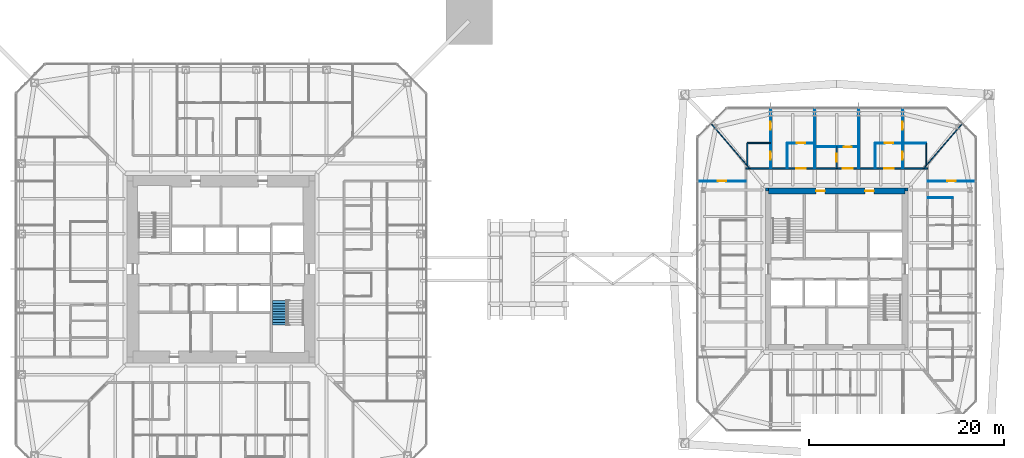
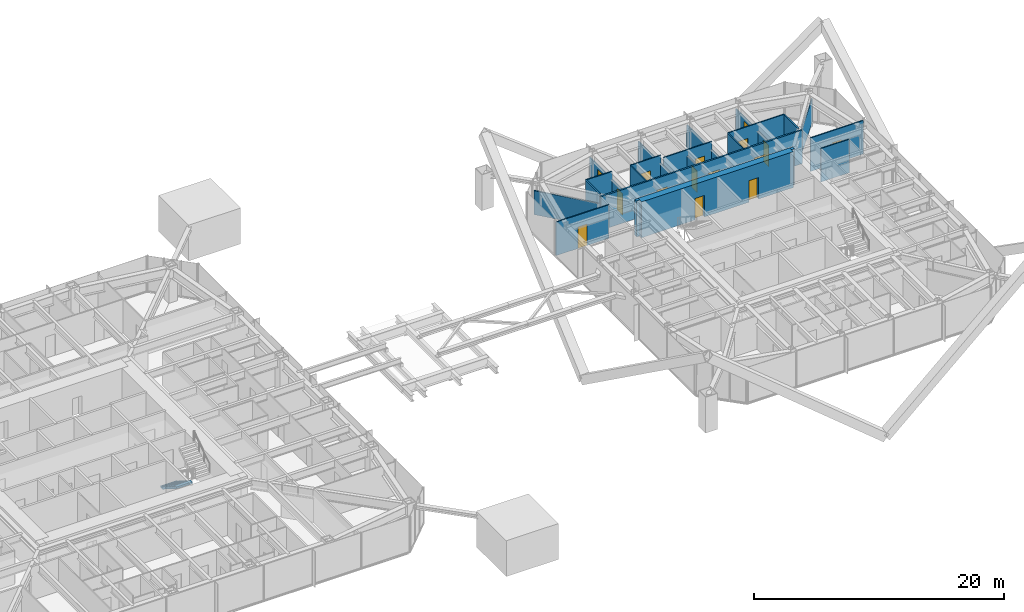
# One storey, part 21 of 27: 22 walls, 15 doors, 1 stair flight, 15 openings, 1 element without a shape of its own.
"""IFC4 building model written with IfcOpenShell, lengths in metres."""

from ifc_helpers import new_model, si_unit, direction, frame, frame_2d, origin, place, context, subcontext, project, spatial, polyline, rectangle, outline, extrude, material, layer, layer_set, constituent, constituent_set, type_object, element, fill, aggregate, save


model = new_model("IFC4")

# Units and contexts
model_context = context("Model", 3, precision=1e-05, world=origin(), true_north=direction((0.0, 1.0)))
body_context = subcontext(model_context, "Body", "Model", "MODEL_VIEW")
ifc_project = project(units=[si_unit("LENGTHUNIT", "METRE"), si_unit("AREAUNIT", "SQUARE_METRE"), si_unit("VOLUMEUNIT", "CUBIC_METRE"), si_unit("PLANEANGLEUNIT", "RADIAN"), si_unit("MASSUNIT", "GRAM", prefix="KILO")], contexts=[model_context])

# Site, building, storey
site_placement = place(None, origin())
site = spatial("IfcSite", under=ifc_project, at=site_placement, CompositionType="ELEMENT")
building_placement = place(site_placement, origin())
building = spatial("IfcBuilding", under=site, at=building_placement, Name="Iwan Alto Co-Living Towers", CompositionType="ELEMENT")
storey_placement = place(building_placement, frame((0.0, 0.0, 94.5)))
storey = spatial("IfcBuildingStorey", under=building, at=storey_placement, Name="L25", CompositionType="ELEMENT", Elevation=94.5)

# Wall, openings, doors
ifc_material_1 = material(Name="Gypsum board")
ifc_layer_1 = layer(ifc_material_1, 0.02490234375, Name="Board", Category="Finish")
ifc_material_2 = material(Name="Steel ASTM A1003 ST33H cold-formed studs", Category="steel")
ifc_layer_2 = layer(ifc_material_2, 0.10009765625, Name="Studs", Category="Framing")
ifc_layer_3 = layer(ifc_material_1, 0.02490234375, Name="Board", Category="Finish")
ifc_layer_set_1 = layer_set([ifc_layer_1, ifc_layer_2, ifc_layer_3], Name="CORRIDOR WALL 150")
wall_type_1 = type_object("IfcWallType", Name="CORRIDOR WALL 150", PredefinedType="PARTITIONING", material=ifc_layer_set_1)
wall_1_placement = place(storey_placement, frame((53.699951171875, 10.300048828125, 0.0), z_axis=(0.0, 0.0, 1.0), x_axis=(1.0, 0.0, 0.0)))
wall_1 = element("IfcWall", 1, at=wall_1_placement, inside=storey, type_object=wall_type_1, Name="Partition L25", PredefinedType="PARTITIONING", context=body_context, shape_type="SweptSolid", body=[
    extrude(rectangle(XDim=18.60009765625, YDim=0.14990234375, at=frame_2d((9.300048828125, 0.0))), origin(), (0.0, 0.0, 1.0), 3.27001953125),
])
opening_1_placement = place(wall_1_placement, frame((14.14990234375, 0.0, 0.0)))
opening_1 = element("IfcOpeningElement", 2, at=opening_1_placement, cuts=wall_1, Name="Opening D3", PredefinedType="OPENING", context=body_context, shape_type="SweptSolid", body=[
    extrude(rectangle(XDim=1.0, YDim=2.10009765625, at=frame_2d((0.5, 1.050048828125))), frame((0.0, 0.0849609375, 0.0), z_axis=(0.0, -1.0, 0.0), x_axis=(1.0, 0.0, 0.0)), (0.0, 0.0, 1.0), 0.169921875),
])
opening_2_placement = place(wall_1_placement, frame((9.925048828125, 0.0, 0.0)))
opening_2 = element("IfcOpeningElement", 3, at=opening_2_placement, cuts=wall_1, Name="Opening D3", PredefinedType="OPENING", context=body_context, shape_type="SweptSolid", body=[
    extrude(rectangle(XDim=1.0, YDim=2.10009765625, at=frame_2d((0.5, 1.050048828125))), frame((0.0, 0.0849609375, 0.0), z_axis=(0.0, -1.0, 0.0), x_axis=(1.0, 0.0, 0.0)), (0.0, 0.0, 1.0), 0.169921875),
])
opening_3_placement = place(wall_1_placement, frame((5.14990234375, 0.0, 0.0)))
opening_3 = element("IfcOpeningElement", 4, at=opening_3_placement, cuts=wall_1, Name="Opening D3", PredefinedType="OPENING", context=body_context, shape_type="SweptSolid", body=[
    extrude(rectangle(XDim=1.0, YDim=2.10009765625, at=frame_2d((0.5, 1.050048828125))), frame((0.0, 0.0849609375, 0.0), z_axis=(0.0, -1.0, 0.0), x_axis=(1.0, 0.0, 0.0)), (0.0, 0.0, 1.0), 0.169921875),
])
ifc_material_3 = material(Name="Steel frame with timber leaf", Category="steel")
door_type_1 = type_object("IfcDoorType", Name="FLAT ENTRANCE DOOR FD30S 1000X2100", OperationType="SINGLE_SWING_LEFT", PredefinedType="DOOR", material=ifc_material_3)
door_1_placement = place(opening_1_placement, origin())
door_1 = element("IfcDoor", 5, at=door_1_placement, inside=storey, type_object=door_type_1, Name="Apartment foyer door L25", OperationType="SINGLE_SWING_LEFT", OverallHeight=2.10009765625, OverallWidth=1.0, PredefinedType="DOOR", context=body_context, shape_type="SweptSolid", body=[
    extrude(rectangle(XDim=1.0, YDim=2.10009765625, at=frame_2d((0.5, 1.050048828125))), frame((0.0, 0.02490234375, 0.0), z_axis=(0.0, -1.0, 0.0), x_axis=(1.0, 0.0, 0.0)), (0.0, 0.0, 1.0), 0.050048828125),
])
fill(opening_1, door_1)
door_2_placement = place(opening_2_placement, origin())
door_2 = element("IfcDoor", 6, at=door_2_placement, inside=storey, type_object=door_type_1, Name="Studio foyer door L25", OperationType="SINGLE_SWING_LEFT", OverallHeight=2.10009765625, OverallWidth=1.0, PredefinedType="DOOR", context=body_context, shape_type="SweptSolid", body=[
    extrude(rectangle(XDim=1.0, YDim=2.10009765625, at=frame_2d((0.5, 1.050048828125))), frame((0.0, 0.02490234375, 0.0), z_axis=(0.0, -1.0, 0.0), x_axis=(1.0, 0.0, 0.0)), (0.0, 0.0, 1.0), 0.050048828125),
])
fill(opening_2, door_2)
door_3_placement = place(opening_3_placement, origin())
door_3 = element("IfcDoor", 7, at=door_3_placement, inside=storey, type_object=door_type_1, Name="Apartment foyer door L25", OperationType="SINGLE_SWING_LEFT", OverallHeight=2.10009765625, OverallWidth=1.0, PredefinedType="DOOR", context=body_context, shape_type="SweptSolid", body=[
    extrude(rectangle(XDim=1.0, YDim=2.10009765625, at=frame_2d((0.5, 1.050048828125))), frame((0.0, 0.02490234375, 0.0), z_axis=(0.0, -1.0, 0.0), x_axis=(1.0, 0.0, 0.0)), (0.0, 0.0, 1.0), 0.050048828125),
])
fill(opening_3, door_3)

# Wall
ifc_layer_4 = layer(ifc_material_1, 0.012451171875, Name="Board", Category="Finish")
ifc_layer_5 = layer(ifc_material_2, 0.074951171875, Name="Studs", Category="Framing")
ifc_layer_6 = layer(ifc_material_1, 0.012451171875, Name="Board", Category="Finish")
ifc_layer_set_2 = layer_set([ifc_layer_4, ifc_layer_5, ifc_layer_6], Name="PARTITION 100")
wall_type_2 = type_object("IfcWallType", Name="PARTITION 100", PredefinedType="PARTITIONING", material=ifc_layer_set_2)
wall_2_placement = place(storey_placement, frame((72.300048828125, 7.300048828125, 0.0), z_axis=(0.0, 0.0, 1.0), x_axis=(1.0, 0.0, 0.0)))
element("IfcWall", 8, at=wall_2_placement, inside=storey, type_object=wall_type_2, Name="Partition L25", PredefinedType="PARTITIONING", context=body_context, shape_type="SweptSolid", body=[
    extrude(rectangle(XDim=2.599853515625, YDim=0.10009765625, at=frame_2d((1.2998046875, 0.0))), origin(), (0.0, 0.0, 1.0), 3.27001953125),
])

# Wall, opening, door
wall_3_placement = place(storey_placement, frame((48.81005859375, 9.0, 0.0), z_axis=(0.0, 0.0, 1.0), x_axis=(1.0, 0.0, 0.0)))
wall_3 = element("IfcWall", 9, at=wall_3_placement, inside=storey, type_object=wall_type_2, Name="Partition L25", PredefinedType="PARTITIONING", context=body_context, shape_type="SweptSolid", body=[
    extrude(rectangle(XDim=4.889892578125, YDim=0.10009765625, at=frame_2d((2.44482421875, 0.0))), origin(), (0.0, 0.0, 1.0), 3.27001953125),
])
opening_4_placement = place(wall_3_placement, frame((2.02001953125, 0.0, 0.0)))
opening_4 = element("IfcOpeningElement", 10, at=opening_4_placement, cuts=wall_3, Name="Opening D2", PredefinedType="OPENING", context=body_context, shape_type="SweptSolid", body=[
    extrude(rectangle(XDim=0.85009765625, YDim=2.10009765625, at=frame_2d((0.425048828125, 1.050048828125))), frame((0.0, 0.06005859375, 0.0), z_axis=(0.0, -1.0, 0.0), x_axis=(1.0, 0.0, 0.0)), (0.0, 0.0, 1.0), 0.1201171875),
])
ifc_material_4 = material(Name="Timber leaf in steel frame", Category="steel")
door_type_2 = type_object("IfcDoorType", Name="ROOM DOOR 850X2100", OperationType="SINGLE_SWING_LEFT", PredefinedType="DOOR", material=ifc_material_4)
door_4_placement = place(opening_4_placement, frame((0.85009765625, 0.0, 0.0), z_axis=(0.0, 0.0, 1.0), x_axis=(-1.0, 0.0, 0.0)))
door_4 = element("IfcDoor", 11, at=door_4_placement, inside=storey, type_object=door_type_2, Name="Bedroom door L25", OperationType="SINGLE_SWING_LEFT", OverallHeight=2.10009765625, OverallWidth=0.85009765625, PredefinedType="DOOR", context=body_context, shape_type="SweptSolid", body=[
    extrude(rectangle(XDim=0.85009765625, YDim=2.10009765625, at=frame_2d((0.425048828125, 1.050048828125))), frame((0.0, 0.02490234375, 0.0), z_axis=(0.0, -1.0, 0.0), x_axis=(1.0, 0.0, 0.0)), (0.0, 0.0, 1.0), 0.050048828125),
])
fill(opening_4, door_4)

wall_4_placement = place(storey_placement, frame((72.300048828125, 9.0, 0.0), z_axis=(0.0, 0.0, 1.0), x_axis=(1.0, 0.0, 0.0)))
wall_4 = element("IfcWall", 12, at=wall_4_placement, inside=storey, type_object=wall_type_2, Name="Partition L25", PredefinedType="PARTITIONING", context=body_context, shape_type="SweptSolid", body=[
    extrude(rectangle(XDim=4.889892578125, YDim=0.10009765625, at=frame_2d((2.44482421875, 0.0))), origin(), (0.0, 0.0, 1.0), 3.27001953125),
])
opening_5_placement = place(wall_4_placement, frame((2.02001953125, 0.0, 0.0)))
opening_5 = element("IfcOpeningElement", 13, at=opening_5_placement, cuts=wall_4, Name="Opening D2", PredefinedType="OPENING", context=body_context, shape_type="SweptSolid", body=[
    extrude(rectangle(XDim=0.85009765625, YDim=2.10009765625, at=frame_2d((0.425048828125, 1.050048828125))), frame((0.0, 0.06005859375, 0.0), z_axis=(0.0, -1.0, 0.0), x_axis=(1.0, 0.0, 0.0)), (0.0, 0.0, 1.0), 0.1201171875),
])
door_5_placement = place(opening_5_placement, origin())
door_5 = element("IfcDoor", 14, at=door_5_placement, inside=storey, type_object=door_type_2, Name="Bedroom door L25", OperationType="SINGLE_SWING_LEFT", OverallHeight=2.10009765625, OverallWidth=0.85009765625, PredefinedType="DOOR", context=body_context, shape_type="SweptSolid", body=[
    extrude(rectangle(XDim=0.85009765625, YDim=2.10009765625, at=frame_2d((0.425048828125, 1.050048828125))), frame((0.0, 0.02490234375, 0.0), z_axis=(0.0, -1.0, 0.0), x_axis=(1.0, 0.0, 0.0)), (0.0, 0.0, 1.0), 0.050048828125),
])
fill(opening_5, door_5)

wall_5_placement = place(storey_placement, frame((60.75, 12.5, 0.0), z_axis=(0.0, 0.0, 1.0), x_axis=(1.0, 0.0, 0.0)))
wall_5 = element("IfcWall", 15, at=wall_5_placement, inside=storey, type_object=wall_type_2, Name="Partition L25", PredefinedType="PARTITIONING", context=body_context, shape_type="SweptSolid", body=[
    extrude(rectangle(XDim=4.5, YDim=0.10009765625, at=frame_2d((2.25, 0.0))), origin(), (0.0, 0.0, 1.0), 3.27001953125),
])
opening_6_placement = place(wall_5_placement, frame((2.949951171875, 0.0, 0.0)))
opening_6 = element("IfcOpeningElement", 16, at=opening_6_placement, cuts=wall_5, Name="Opening D2", PredefinedType="OPENING", context=body_context, shape_type="SweptSolid", body=[
    extrude(rectangle(XDim=0.85009765625, YDim=2.10009765625, at=frame_2d((0.425048828125, 1.050048828125))), frame((0.0, 0.06005859375, 0.0), z_axis=(0.0, -1.0, 0.0), x_axis=(1.0, 0.0, 0.0)), (0.0, 0.0, 1.0), 0.1201171875),
])
door_6_placement = place(opening_6_placement, origin())
door_6 = element("IfcDoor", 17, at=door_6_placement, inside=storey, type_object=door_type_2, Name="Studio and kitchenette door L25", OperationType="SINGLE_SWING_RIGHT", OverallHeight=2.10009765625, OverallWidth=0.85009765625, PredefinedType="DOOR", context=body_context, shape_type="SweptSolid", body=[
    extrude(rectangle(XDim=0.85009765625, YDim=2.10009765625, at=frame_2d((0.425048828125, 1.050048828125))), frame((0.0, 0.02490234375, 0.0), z_axis=(0.0, -1.0, 0.0), x_axis=(1.0, 0.0, 0.0)), (0.0, 0.0, 1.0), 0.050048828125),
])
fill(opening_6, door_6)

wall_6_placement = place(storey_placement, frame((57.949951171875, 12.89990234375, 0.0), z_axis=(0.0, 0.0, 1.0), x_axis=(1.0, 0.0, 0.0)))
wall_6 = element("IfcWall", 18, at=wall_6_placement, inside=storey, type_object=wall_type_2, Name="Partition L25", PredefinedType="PARTITIONING", context=body_context, shape_type="SweptSolid", body=[
    extrude(rectangle(XDim=2.800048828125, YDim=0.10009765625, at=frame_2d((1.39990234375, 0.0))), origin(), (0.0, 0.0, 1.0), 3.27001953125),
])
opening_7_placement = place(wall_6_placement, frame((0.97509765625, 0.0, 0.0)))
opening_7 = element("IfcOpeningElement", 19, at=opening_7_placement, cuts=wall_6, Name="Opening D2", PredefinedType="OPENING", context=body_context, shape_type="SweptSolid", body=[
    extrude(rectangle(XDim=0.85009765625, YDim=2.10009765625, at=frame_2d((0.425048828125, 1.050048828125))), frame((0.0, 0.06005859375, 0.0), z_axis=(0.0, -1.0, 0.0), x_axis=(1.0, 0.0, 0.0)), (0.0, 0.0, 1.0), 0.1201171875),
])
door_7_placement = place(opening_7_placement, origin())
door_7 = element("IfcDoor", 20, at=door_7_placement, inside=storey, type_object=door_type_2, Name="Apartment foyer door L25", OperationType="SINGLE_SWING_RIGHT", OverallHeight=2.10009765625, OverallWidth=0.85009765625, PredefinedType="DOOR", context=body_context, shape_type="SweptSolid", body=[
    extrude(rectangle(XDim=0.85009765625, YDim=2.10009765625, at=frame_2d((0.425048828125, 1.050048828125))), frame((0.0, 0.02490234375, 0.0), z_axis=(0.0, -1.0, 0.0), x_axis=(1.0, 0.0, 0.0)), (0.0, 0.0, 1.0), 0.050048828125),
])
fill(opening_7, door_7)

wall_7_placement = place(storey_placement, frame((66.949951171875, 12.89990234375, 0.0), z_axis=(0.0, 0.0, 1.0), x_axis=(1.0, 0.0, 0.0)))
wall_7 = element("IfcWall", 21, at=wall_7_placement, inside=storey, type_object=wall_type_2, Name="Partition L25", PredefinedType="PARTITIONING", context=body_context, shape_type="SweptSolid", body=[
    extrude(rectangle(XDim=5.199951171875, YDim=0.10009765625, at=frame_2d((2.60009765625, 0.0))), origin(), (0.0, 0.0, 1.0), 3.27001953125),
])
opening_8_placement = place(wall_7_placement, frame((0.97509765625, 0.0, 0.0)))
opening_8 = element("IfcOpeningElement", 22, at=opening_8_placement, cuts=wall_7, Name="Opening D2", PredefinedType="OPENING", context=body_context, shape_type="SweptSolid", body=[
    extrude(rectangle(XDim=0.85009765625, YDim=2.10009765625, at=frame_2d((0.425048828125, 1.050048828125))), frame((0.0, 0.06005859375, 0.0), z_axis=(0.0, -1.0, 0.0), x_axis=(1.0, 0.0, 0.0)), (0.0, 0.0, 1.0), 0.1201171875),
])
door_8_placement = place(opening_8_placement, origin())
door_8 = element("IfcDoor", 23, at=door_8_placement, inside=storey, type_object=door_type_2, Name="Apartment foyer door L25", OperationType="SINGLE_SWING_RIGHT", OverallHeight=2.10009765625, OverallWidth=0.85009765625, PredefinedType="DOOR", context=body_context, shape_type="SweptSolid", body=[
    extrude(rectangle(XDim=0.85009765625, YDim=2.10009765625, at=frame_2d((0.425048828125, 1.050048828125))), frame((0.0, 0.02490234375, 0.0), z_axis=(0.0, -1.0, 0.0), x_axis=(1.0, 0.0, 0.0)), (0.0, 0.0, 1.0), 0.050048828125),
])
fill(opening_8, door_8)

# Wall
wall_8_placement = place(storey_placement, frame((71.89501953125, 10.300048828125, 0.0), z_axis=(0.0, 0.0, 1.0), x_axis=(0.65378286253, 0.756682211144, 0.0)))
element("IfcWall", 24, at=wall_8_placement, inside=storey, type_object=wall_type_2, Name="Partition L25", PredefinedType="PARTITIONING", context=body_context, shape_type="SweptSolid", body=[
    extrude(rectangle(XDim=6.005126953125, YDim=0.10009765625, at=frame_2d((3.00244140625, 0.0))), origin(), (0.0, 0.0, 1.0), 2.343017578125),
])

# Wall, openings, doors
wall_9_placement = place(storey_placement, frame((69.75, 10.300048828125, 0.0), z_axis=(0.0, 0.0, 1.0), x_axis=(0.0, 1.0, 0.0)))
wall_9 = element("IfcWall", 25, at=wall_9_placement, inside=storey, type_object=wall_type_2, Name="Partition L25", PredefinedType="PARTITIONING", context=body_context, shape_type="SweptSolid", body=[
    extrude(rectangle(XDim=6.139892578125, YDim=0.10009765625, at=frame_2d((3.06982421875, 0.0))), origin(), (0.0, 0.0, 1.0), 2.497802734375),
])
opening_9_placement = place(wall_9_placement, frame((0.875, 0.0, 0.0)))
opening_9 = element("IfcOpeningElement", 26, at=opening_9_placement, cuts=wall_9, Name="Opening D2", PredefinedType="OPENING", context=body_context, shape_type="SweptSolid", body=[
    extrude(rectangle(XDim=0.85009765625, YDim=2.10009765625, at=frame_2d((0.425048828125, 1.050048828125))), frame((0.0, 0.06005859375, 0.0), z_axis=(0.0, -1.0, 0.0), x_axis=(1.0, 0.0, 0.0)), (0.0, 0.0, 1.0), 0.1201171875),
])
opening_10_placement = place(wall_9_placement, frame((3.945068359375, 0.0, 0.0)))
opening_10 = element("IfcOpeningElement", 27, at=opening_10_placement, cuts=wall_9, Name="Opening D2", PredefinedType="OPENING", context=body_context, shape_type="SweptSolid", body=[
    extrude(rectangle(XDim=0.85009765625, YDim=2.10009765625, at=frame_2d((0.425048828125, 1.050048828125))), frame((0.0, 0.06005859375, 0.0), z_axis=(0.0, -1.0, 0.0), x_axis=(1.0, 0.0, 0.0)), (0.0, 0.0, 1.0), 0.1201171875),
])
door_9_placement = place(opening_9_placement, frame((0.85009765625, 0.0, 0.0), z_axis=(0.0, 0.0, 1.0), x_axis=(-1.0, 0.0, 0.0)))
door_9 = element("IfcDoor", 28, at=door_9_placement, inside=storey, type_object=door_type_2, Name="Bathroom door L25", OperationType="SINGLE_SWING_RIGHT", OverallHeight=2.10009765625, OverallWidth=0.85009765625, PredefinedType="DOOR", context=body_context, shape_type="SweptSolid", body=[
    extrude(rectangle(XDim=0.85009765625, YDim=2.10009765625, at=frame_2d((0.425048828125, 1.050048828125))), frame((0.0, 0.02490234375, 0.0), z_axis=(0.0, -1.0, 0.0), x_axis=(1.0, 0.0, 0.0)), (0.0, 0.0, 1.0), 0.050048828125),
])
fill(opening_9, door_9)
door_10_placement = place(opening_10_placement, frame((0.85009765625, 0.0, 0.0), z_axis=(0.0, 0.0, 1.0), x_axis=(-1.0, 0.0, 0.0)))
door_10 = element("IfcDoor", 29, at=door_10_placement, inside=storey, type_object=door_type_2, Name="Bedroom door L25", OperationType="SINGLE_SWING_RIGHT", OverallHeight=2.10009765625, OverallWidth=0.85009765625, PredefinedType="DOOR", context=body_context, shape_type="SweptSolid", body=[
    extrude(rectangle(XDim=0.85009765625, YDim=2.10009765625, at=frame_2d((0.425048828125, 1.050048828125))), frame((0.0, 0.02490234375, 0.0), z_axis=(0.0, -1.0, 0.0), x_axis=(1.0, 0.0, 0.0)), (0.0, 0.0, 1.0), 0.050048828125),
])
fill(opening_10, door_10)

# Walls
wall_10_placement = place(storey_placement, frame((66.949951171875, 10.300048828125, 0.0), z_axis=(0.0, 0.0, 1.0), x_axis=(0.0, 1.0, 0.0)))
element("IfcWall", 30, at=wall_10_placement, inside=storey, type_object=wall_type_2, Name="Partition L25", PredefinedType="PARTITIONING", context=body_context, shape_type="SweptSolid", body=[
    extrude(rectangle(XDim=2.599853515625, YDim=0.10009765625, at=frame_2d((1.2998046875, 0.0))), origin(), (0.0, 0.0, 1.0), 3.27001953125),
])
for number, where, z_axis, x_axis, name in (
    (31, (65.25, 10.300048828125, 0.0), (0.0, 0.0, 1.0), (0.0, 1.0, 0.0), "Partition L25"),
    (32, (60.75, 10.300048828125, 0.0), (0.0, 0.0, 1.0), (0.0, 1.0, 0.0), "Partition L25"),
):
    element("IfcWall", number, at=place(storey_placement, frame(where, z_axis=z_axis, x_axis=x_axis)), inside=storey, type_object=wall_type_2, Name=name, PredefinedType="PARTITIONING", context=body_context, shape_type="SweptSolid", body=[
        extrude(rectangle(XDim=6.139892578125, YDim=0.10009765625, at=frame_2d((3.06982421875, 0.0))), origin(), (0.0, 0.0, 1.0), 2.497802734375),
    ])
wall_11_placement = place(storey_placement, frame((57.949951171875, 10.300048828125, 0.0), z_axis=(0.0, 0.0, 1.0), x_axis=(0.0, 1.0, 0.0)))
element("IfcWall", 33, at=wall_11_placement, inside=storey, type_object=wall_type_2, Name="Partition L25", PredefinedType="PARTITIONING", context=body_context, shape_type="SweptSolid", body=[
    extrude(rectangle(XDim=2.599853515625, YDim=0.10009765625, at=frame_2d((1.2998046875, 0.0))), origin(), (0.0, 0.0, 1.0), 3.27001953125),
])

# Wall, openings, doors
wall_12_placement = place(storey_placement, frame((56.25, 10.300048828125, 0.0), z_axis=(0.0, 0.0, 1.0), x_axis=(0.0, 1.0, 0.0)))
wall_12 = element("IfcWall", 34, at=wall_12_placement, inside=storey, type_object=wall_type_2, Name="Partition L25", PredefinedType="PARTITIONING", context=body_context, shape_type="SweptSolid", body=[
    extrude(rectangle(XDim=6.139892578125, YDim=0.10009765625, at=frame_2d((3.06982421875, 0.0))), origin(), (0.0, 0.0, 1.0), 2.497802734375),
])
opening_11_placement = place(wall_12_placement, frame((0.875, 0.0, 0.0)))
opening_11 = element("IfcOpeningElement", 35, at=opening_11_placement, cuts=wall_12, Name="Opening D2", PredefinedType="OPENING", context=body_context, shape_type="SweptSolid", body=[
    extrude(rectangle(XDim=0.85009765625, YDim=2.10009765625, at=frame_2d((0.425048828125, 1.050048828125))), frame((0.0, 0.06005859375, 0.0), z_axis=(0.0, -1.0, 0.0), x_axis=(1.0, 0.0, 0.0)), (0.0, 0.0, 1.0), 0.1201171875),
])
opening_12_placement = place(wall_12_placement, frame((3.945068359375, 0.0, 0.0)))
opening_12 = element("IfcOpeningElement", 36, at=opening_12_placement, cuts=wall_12, Name="Opening D2", PredefinedType="OPENING", context=body_context, shape_type="SweptSolid", body=[
    extrude(rectangle(XDim=0.85009765625, YDim=2.10009765625, at=frame_2d((0.425048828125, 1.050048828125))), frame((0.0, 0.06005859375, 0.0), z_axis=(0.0, -1.0, 0.0), x_axis=(1.0, 0.0, 0.0)), (0.0, 0.0, 1.0), 0.1201171875),
])
door_11_placement = place(opening_11_placement, frame((0.85009765625, 0.0, 0.0), z_axis=(0.0, 0.0, 1.0), x_axis=(-1.0, 0.0, 0.0)))
door_11 = element("IfcDoor", 37, at=door_11_placement, inside=storey, type_object=door_type_2, Name="Bathroom door L25", OperationType="SINGLE_SWING_RIGHT", OverallHeight=2.10009765625, OverallWidth=0.85009765625, PredefinedType="DOOR", context=body_context, shape_type="SweptSolid", body=[
    extrude(rectangle(XDim=0.85009765625, YDim=2.10009765625, at=frame_2d((0.425048828125, 1.050048828125))), frame((0.0, 0.02490234375, 0.0), z_axis=(0.0, -1.0, 0.0), x_axis=(1.0, 0.0, 0.0)), (0.0, 0.0, 1.0), 0.050048828125),
])
fill(opening_11, door_11)
door_12_placement = place(opening_12_placement, origin())
door_12 = element("IfcDoor", 38, at=door_12_placement, inside=storey, type_object=door_type_2, Name="Bedroom door L25", OperationType="SINGLE_SWING_LEFT", OverallHeight=2.10009765625, OverallWidth=0.85009765625, PredefinedType="DOOR", context=body_context, shape_type="SweptSolid", body=[
    extrude(rectangle(XDim=0.85009765625, YDim=2.10009765625, at=frame_2d((0.425048828125, 1.050048828125))), frame((0.0, 0.02490234375, 0.0), z_axis=(0.0, -1.0, 0.0), x_axis=(1.0, 0.0, 0.0)), (0.0, 0.0, 1.0), 0.050048828125),
])
fill(opening_12, door_12)

# Walls
wall_13_placement = place(storey_placement, frame((54.10498046875, 10.300048828125, 0.0), z_axis=(0.0, 0.0, 1.0), x_axis=(-0.653606109319, 0.756834892074, 0.0)))
element("IfcWall", 39, at=wall_13_placement, inside=storey, type_object=wall_type_2, Name="Partition L25", PredefinedType="PARTITIONING", context=body_context, shape_type="SweptSolid", body=[
    extrude(rectangle(XDim=6.0048828125, YDim=0.10009765625, at=frame_2d((3.00244140625, 0.0))), origin(), (0.0, 0.0, 1.0), 2.343017578125),
])
ifc_material_5 = material(Name="Concrete f'c 70 MPa", Category="concrete")
ifc_layer_7 = layer(ifc_material_5, 0.300048828125)
ifc_layer_set_3 = layer_set([ifc_layer_7], Name="T2 CORE CORNER FILL 300")
wall_type_3 = type_object("IfcWallType", Name="T2 CORE CORNER FILL 300", PredefinedType="SOLIDWALL", material=ifc_layer_set_3)
for number, where, z_axis, x_axis, name in (
    (40, (70.0, 8.14990234375, 0.0), (0.0, 0.0, 1.0), (1.0, 0.0, 0.0), "T2 core corner NE L25"),
    (41, (55.699951171875, 8.14990234375, 0.0), (0.0, 0.0, 1.0), (1.0, 0.0, 0.0), "T2 core corner NW L25"),
):
    element("IfcWall", number, at=place(storey_placement, frame(where, z_axis=z_axis, x_axis=x_axis)), inside=storey, type_object=wall_type_3, Name=name, PredefinedType="SOLIDWALL", context=body_context, shape_type="SweptSolid", body=[
        extrude(rectangle(XDim=0.300048828125, YDim=0.300048828125, at=frame_2d((0.14990234375, 0.0))), origin(), (0.0, 0.0, 1.0), 3.5),
    ])

# Wall, openings, doors
ifc_material_6 = material(Name="Concrete f'c 70 MPa", Category="concrete")
ifc_layer_8 = layer(ifc_material_6, 0.60009765625)
ifc_layer_set_4 = layer_set([ifc_layer_8], Name="T2 CORE WALL 600")
wall_type_4 = type_object("IfcWallType", Name="T2 CORE WALL 600", PredefinedType="SHEAR", material=ifc_layer_set_4)
wall_14_placement = place(storey_placement, frame((70.0, 8.0, 0.0), z_axis=(0.0, 0.0, 1.0), x_axis=(-1.0, 0.0, 0.0)))
wall_14 = element("IfcWall", 42, at=wall_14_placement, inside=storey, type_object=wall_type_4, Name="T2 core wall N L25", PredefinedType="SHEAR", context=body_context, shape_type="SweptSolid", body=[
    extrude(rectangle(XDim=14.0, YDim=0.60009765625, at=frame_2d((7.0, 0.0))), origin(), (0.0, 0.0, 1.0), 3.5),
])
opening_13_placement = place(wall_14_placement, frame((8.199951171875, 0.0, 0.0)))
opening_13 = element("IfcOpeningElement", 43, at=opening_13_placement, cuts=wall_14, Name="Opening D8", PredefinedType="OPENING", context=body_context, shape_type="SweptSolid", body=[
    extrude(rectangle(XDim=0.89990234375, YDim=2.10009765625, at=frame_2d((0.449951171875, 1.050048828125))), frame((0.0, 0.31005859375, 0.0), z_axis=(0.0, -1.0, 0.0), x_axis=(1.0, 0.0, 0.0)), (0.0, 0.0, 1.0), 0.6201171875),
])
opening_14_placement = place(wall_14_placement, frame((3.199951171875, 0.0, 0.0)))
opening_14 = element("IfcOpeningElement", 44, at=opening_14_placement, cuts=wall_14, Name="Opening D8", PredefinedType="OPENING", context=body_context, shape_type="SweptSolid", body=[
    extrude(rectangle(XDim=0.89990234375, YDim=2.10009765625, at=frame_2d((0.449951171875, 1.050048828125))), frame((0.0, 0.31005859375, 0.0), z_axis=(0.0, -1.0, 0.0), x_axis=(1.0, 0.0, 0.0)), (0.0, 0.0, 1.0), 0.6201171875),
])
ifc_material_7 = material(Name="Steel frame with timber leaf", Category="steel")
door_type_3 = type_object("IfcDoorType", Name="RISER DOOR FD120 900X2100", OperationType="SINGLE_SWING_LEFT", PredefinedType="DOOR", material=ifc_material_7)
door_13_placement = place(opening_13_placement, origin())
door_13 = element("IfcDoor", 45, at=door_13_placement, inside=storey, type_object=door_type_3, Name="Electrical riser core door L25", OperationType="SINGLE_SWING_RIGHT", OverallHeight=2.10009765625, OverallWidth=0.89990234375, PredefinedType="DOOR", context=body_context, shape_type="SweptSolid", body=[
    extrude(rectangle(XDim=0.89990234375, YDim=2.10009765625, at=frame_2d((0.449951171875, 1.050048828125))), frame((0.0, 0.02490234375, 0.0), z_axis=(0.0, -1.0, 0.0), x_axis=(1.0, 0.0, 0.0)), (0.0, 0.0, 1.0), 0.050048828125),
])
fill(opening_13, door_13)
door_14_placement = place(opening_14_placement, origin())
door_14 = element("IfcDoor", 46, at=door_14_placement, inside=storey, type_object=door_type_3, Name="Water and drainage riser core door L25", OperationType="SINGLE_SWING_RIGHT", OverallHeight=2.10009765625, OverallWidth=0.89990234375, PredefinedType="DOOR", context=body_context, shape_type="SweptSolid", body=[
    extrude(rectangle(XDim=0.89990234375, YDim=2.10009765625, at=frame_2d((0.449951171875, 1.050048828125))), frame((0.0, 0.02490234375, 0.0), z_axis=(0.0, -1.0, 0.0), x_axis=(1.0, 0.0, 0.0)), (0.0, 0.0, 1.0), 0.050048828125),
])
fill(opening_14, door_14)

# Walls
ifc_material_8 = material(Name="Cement board")
ifc_layer_9 = layer(ifc_material_8, 0.012451171875, Name="Board", Category="Finish")
ifc_layer_10 = layer(ifc_material_2, 0.094970703125, Name="Studs", Category="Framing")
ifc_layer_11 = layer(ifc_material_8, 0.012451171875, Name="Board", Category="Finish")
ifc_layer_set_5 = layer_set([ifc_layer_9, ifc_layer_10, ifc_layer_11], Name="WET AREA PARTITION 120")
wall_type_5 = type_object("IfcWallType", Name="WET AREA PARTITION 120", PredefinedType="PARTITIONING", material=ifc_layer_set_5)
wall_15_placement = place(storey_placement, frame((53.85009765625, 12.89990234375, 0.0), z_axis=(0.0, 0.0, 1.0), x_axis=(1.0, 0.0, 0.0)))
element("IfcWall", 47, at=wall_15_placement, inside=storey, type_object=wall_type_5, Name="Partition L25", PredefinedType="PARTITIONING", context=body_context, shape_type="SweptSolid", body=[
    extrude(rectangle(XDim=2.39990234375, YDim=0.1201171875, at=frame_2d((1.199951171875, 0.0))), origin(), (0.0, 0.0, 1.0), 3.27001953125),
])
wall_16_placement = place(storey_placement, frame((72.14990234375, 10.594970703125, 0.0), z_axis=(0.0, 0.0, 1.0), x_axis=(0.0, 1.0, 0.0)))
element("IfcWall", 48, at=wall_16_placement, inside=storey, type_object=wall_type_5, Name="Partition L25", PredefinedType="PARTITIONING", context=body_context, shape_type="SweptSolid", body=[
    extrude(rectangle(XDim=2.304931640625, YDim=0.1201171875, at=frame_2d((1.15234375, 0.0))), origin(), (0.0, 0.0, 1.0), 3.27001953125),
])

# Wall, opening, door
wall_17_placement = place(storey_placement, frame((63.0, 10.300048828125, 0.0), z_axis=(0.0, 0.0, 1.0), x_axis=(0.0, 1.0, 0.0)))
wall_17 = element("IfcWall", 49, at=wall_17_placement, inside=storey, type_object=wall_type_5, Name="Partition L25", PredefinedType="PARTITIONING", context=body_context, shape_type="SweptSolid", body=[
    extrude(rectangle(XDim=2.199951171875, YDim=0.1201171875, at=frame_2d((1.10009765625, 0.0))), origin(), (0.0, 0.0, 1.0), 2.662841796875),
])
opening_15_placement = place(wall_17_placement, frame((0.675048828125, 0.0, 0.0)))
opening_15 = element("IfcOpeningElement", 50, at=opening_15_placement, cuts=wall_17, Name="Opening D2", PredefinedType="OPENING", context=body_context, shape_type="SweptSolid", body=[
    extrude(rectangle(XDim=0.85009765625, YDim=2.10009765625, at=frame_2d((0.425048828125, 1.050048828125))), frame((0.0, 0.070068359375, 0.0), z_axis=(0.0, -1.0, 0.0), x_axis=(1.0, 0.0, 0.0)), (0.0, 0.0, 1.0), 0.14013671875),
])
door_15_placement = place(opening_15_placement, origin())
door_15 = element("IfcDoor", 51, at=door_15_placement, inside=storey, type_object=door_type_2, Name="Shower room door L25", OperationType="SINGLE_SWING_LEFT", OverallHeight=2.10009765625, OverallWidth=0.85009765625, PredefinedType="DOOR", context=body_context, shape_type="SweptSolid", body=[
    extrude(rectangle(XDim=0.85009765625, YDim=2.10009765625, at=frame_2d((0.425048828125, 1.050048828125))), frame((0.0, 0.02490234375, 0.0), z_axis=(0.0, -1.0, 0.0), x_axis=(1.0, 0.0, 0.0)), (0.0, 0.0, 1.0), 0.050048828125),
])
fill(opening_15, door_15)

# Wall
wall_18_placement = place(storey_placement, frame((53.85009765625, 10.594970703125, 0.0), z_axis=(0.0, 0.0, 1.0), x_axis=(0.0, 1.0, 0.0)))
element("IfcWall", 52, at=wall_18_placement, inside=storey, type_object=wall_type_5, Name="Partition L25", PredefinedType="PARTITIONING", context=body_context, shape_type="SweptSolid", body=[
    extrude(rectangle(XDim=2.304931640625, YDim=0.1201171875, at=frame_2d((1.15234375, 0.0))), origin(), (0.0, 0.0, 1.0), 3.27001953125),
])

# Stair, stair flight
ifc_material_9 = material(Name="Steel ASTM A36", Category="steel")
ifc_constituent_1 = constituent(ifc_material_9, Name="Stringers", Category="LoadBearing")
ifc_material_10 = material(Name="Concrete f'c 30 MPa", Category="concrete")
ifc_constituent_2 = constituent(ifc_material_10, Name="Tread fill", Category="Finish")
ifc_constituent_set_1 = constituent_set(constituents=[ifc_constituent_1, ifc_constituent_2], Name="STAIR 3500 TWO-FLIGHT T1 CORE")
stair_type = type_object("IfcStairType", Name="STAIR 3500 TWO-FLIGHT T1 CORE", PredefinedType="HALF_TURN_STAIR", material=ifc_constituent_set_1)
stair_placement = place(storey_placement, origin())
stair = element("IfcStair", 53, at=stair_placement, inside=storey, type_object=stair_type, Name="Stair T1-S2 L25 to L26", PredefinedType="HALF_TURN_STAIR")
ifc_constituent_3 = constituent(ifc_material_9, Name="Stringers", Category="LoadBearing")
ifc_constituent_4 = constituent(ifc_material_10, Name="Tread fill", Category="Finish")
ifc_constituent_set_2 = constituent_set(constituents=[ifc_constituent_3, ifc_constituent_4], Name="STAIR FLIGHT 10 RISERS 280 GOING")
stair_flight_type = type_object("IfcStairFlightType", Name="STAIR FLIGHT 10 RISERS 280 GOING", PredefinedType="STRAIGHT", material=ifc_constituent_set_2)
stair_flight_placement = place(storey_placement, frame((6.010009765625, -3.219970703125, 0.0), z_axis=(0.0, 0.0, 1.0), x_axis=(0.0, -1.0, 0.0)))
stair_flight = element("IfcStairFlight", 54, at=stair_flight_placement, type_object=stair_flight_type, Name="T1-S2 flight 1", NumberOfRisers=10, NumberOfTreads=9, PredefinedType="STRAIGHT", RiserHeight=0.175, TreadLength=0.28, context=body_context, shape_type="SweptSolid", body=[
    extrude(outline(polyline([(0.0, 0.0), (0.0, 0.175048828125), (0.280029296875, 0.175048828125), (0.280029296875, 0.35009765625), (0.56005859375, 0.35009765625), (0.56005859375, 0.52490234375), (0.840087890625, 0.52490234375), (0.840087890625, 0.699951171875), (1.1201171875, 0.699951171875), (1.1201171875, 0.875), (1.39990234375, 0.875), (1.39990234375, 1.050048828125), (1.679931640625, 1.050048828125), (1.679931640625, 1.22509765625), (1.9599609375, 1.22509765625), (1.9599609375, 1.39990234375), (2.239990234375, 1.39990234375), (2.239990234375, 1.574951171875), (2.52001953125, 1.574951171875), (2.52001953125, 1.75), (2.52001953125, 1.398193359375), (0.28271484375, 0.0), (0.0, 0.0)])), frame((0.0, 0.739990234375, 0.0), z_axis=(0.0, -1.0, 0.0), x_axis=(1.0, 0.0, 0.0)), (0.0, 0.0, 1.0), 1.47998046875),
])
aggregate(stair, [stair_flight])

save(model, "model.ifc")
